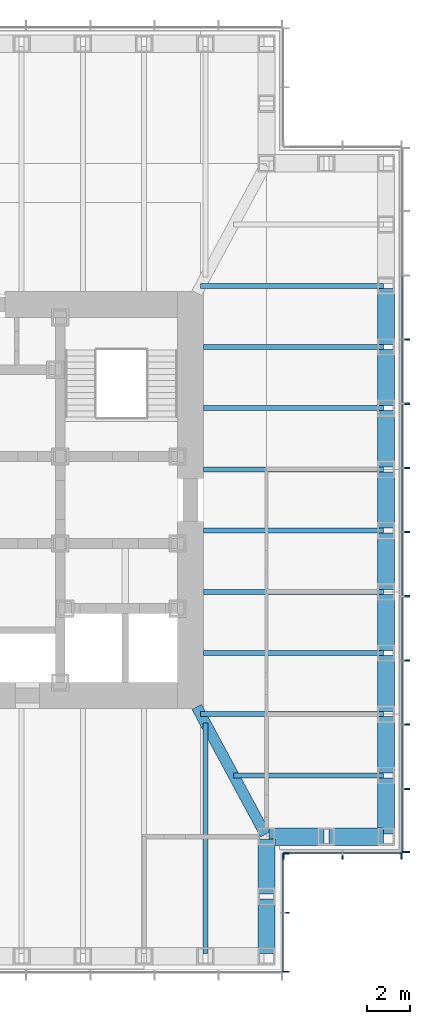
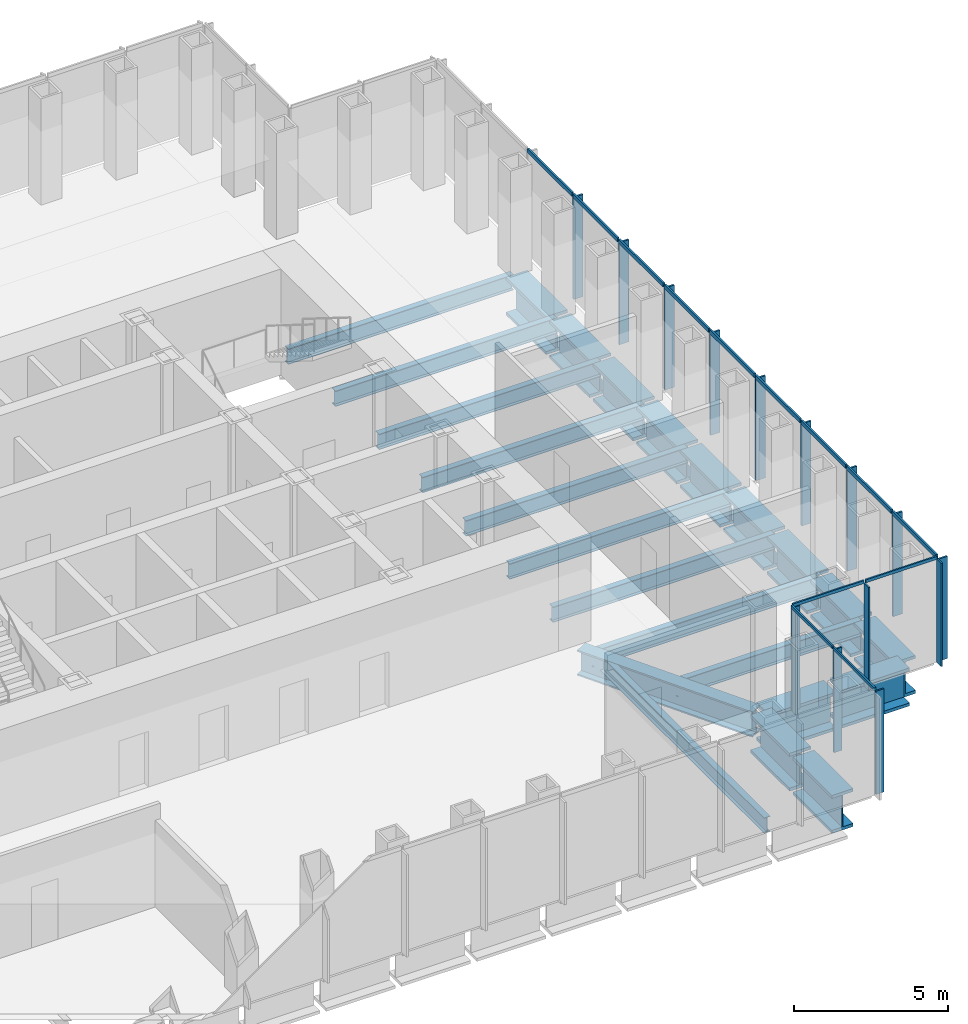
# One storey, part 4 of 16: 28 members, 24 beams, 3 elements without a shape of their own.
"""IFC4 building model written with IfcOpenShell, lengths in metres."""

from ifc_helpers import new_model, si_unit, direction, frame, origin, origin_2d, place, context, subcontext, project, spatial, rectangle, i_section, extrude, material, material_profile, profile_set, type_object, element, aggregate, save


model = new_model("IFC4")

# Units and contexts
model_context = context("Model", 3, precision=1e-05, world=origin(), true_north=direction((0.0, 1.0)))
body_context = subcontext(model_context, "Body", "Model", "MODEL_VIEW")
ifc_project = project(units=[si_unit("LENGTHUNIT", "METRE"), si_unit("AREAUNIT", "SQUARE_METRE"), si_unit("VOLUMEUNIT", "CUBIC_METRE"), si_unit("PLANEANGLEUNIT", "RADIAN"), si_unit("MASSUNIT", "GRAM", prefix="KILO")], contexts=[model_context])

# Site, building, storey
site_placement = place(None, origin())
site = spatial("IfcSite", under=ifc_project, at=site_placement, CompositionType="ELEMENT")
building_placement = place(site_placement, origin())
building = spatial("IfcBuilding", under=site, at=building_placement, Name="Daluyong Arena Tower", CompositionType="ELEMENT")
storey_placement = place(building_placement, frame((0.0, 0.0, 235.89990234375)))
storey = spatial("IfcBuildingStorey", under=building, at=storey_placement, Name="L53", CompositionType="ELEMENT", Elevation=235.89990234375)

# Curtain wall, members
ifc_material_1 = material(Name="Bronze anodised aluminium and glass", Category="aluminium")
curtain_wall_type_1 = type_object("IfcCurtainWallType", Name="Curtain wall CW3", PredefinedType="USERDEFINED", material=ifc_material_1)
curtain_wall_1_placement = place(storey_placement, origin())
curtain_wall_1 = element("IfcCurtainWall", 1, at=curtain_wall_1_placement, inside=storey, type_object=curtain_wall_type_1, Name="curtain wall L53 E", ObjectType="UNITISED CURTAIN WALL", PredefinedType="USERDEFINED")
ifc_material_2 = material(Name="Bronze anodised aluminium fin", Category="aluminium")
ifc_material_profile_1 = material_profile(ifc_material_2, rectangle(XDim=0.35009765625, YDim=0.070068359375, at=origin_2d()))
ifc_profile_set_1 = profile_set([ifc_material_profile_1], Name="Bronze anodised aluminium fin")
member_type_1 = type_object("IfcMemberType", Name="CW3 bronze fin 350x70", PredefinedType="MULLION", material=ifc_profile_set_1)
member_1_placement = place(storey_placement, frame((77.925048828125, 63.784912109375, 0.0), z_axis=(0.0, 0.0, 1.0), x_axis=(-1.0, 0.0, 0.0)))
member_1 = element("IfcMember", 2, at=member_1_placement, type_object=member_type_1, Name="curtain wall L53 E fin 1", PredefinedType="MULLION", context=body_context, shape_type="SweptSolid", body=[
    extrude(rectangle(XDim=0.35009765625, YDim=0.070068359375, at=origin_2d()), origin(), (0.0, 0.0, 1.0), 4.0400390625),
])
member_2_placement = place(storey_placement, frame((77.925048828125, 66.70458984375, 0.0), z_axis=(0.0, 0.0, 1.0), x_axis=(-1.0, 0.0, 0.0)))
member_2 = element("IfcMember", 3, at=member_2_placement, type_object=member_type_1, Name="curtain wall L53 E fin 2", PredefinedType="MULLION", context=body_context, shape_type="SweptSolid", body=[
    extrude(rectangle(XDim=0.35009765625, YDim=0.070068359375, at=origin_2d()), origin(), (0.0, 0.0, 1.0), 4.0400390625),
])
member_3_placement = place(storey_placement, frame((77.925048828125, 69.6591796875, 0.0), z_axis=(0.0, 0.0, 1.0), x_axis=(-1.0, 0.0, 0.0)))
member_3 = element("IfcMember", 4, at=member_3_placement, type_object=member_type_1, Name="curtain wall L53 E fin 3", PredefinedType="MULLION", context=body_context, shape_type="SweptSolid", body=[
    extrude(rectangle(XDim=0.35009765625, YDim=0.070068359375, at=origin_2d()), origin(), (0.0, 0.0, 1.0), 4.0400390625),
])
member_4_placement = place(storey_placement, frame((77.925048828125, 72.613525390625, 0.0), z_axis=(0.0, 0.0, 1.0), x_axis=(-1.0, 0.0, 0.0)))
member_4 = element("IfcMember", 5, at=member_4_placement, type_object=member_type_1, Name="curtain wall L53 E fin 4", PredefinedType="MULLION", context=body_context, shape_type="SweptSolid", body=[
    extrude(rectangle(XDim=0.35009765625, YDim=0.070068359375, at=origin_2d()), origin(), (0.0, 0.0, 1.0), 4.0400390625),
])
member_5_placement = place(storey_placement, frame((77.925048828125, 75.568115234375, 0.0), z_axis=(0.0, 0.0, 1.0), x_axis=(-1.0, 0.0, 0.0)))
member_5 = element("IfcMember", 6, at=member_5_placement, type_object=member_type_1, Name="curtain wall L53 E fin 5", PredefinedType="MULLION", context=body_context, shape_type="SweptSolid", body=[
    extrude(rectangle(XDim=0.35009765625, YDim=0.070068359375, at=origin_2d()), origin(), (0.0, 0.0, 1.0), 4.0400390625),
])
member_6_placement = place(storey_placement, frame((77.925048828125, 78.522705078125, 0.0), z_axis=(0.0, 0.0, 1.0), x_axis=(-1.0, 0.0, 0.0)))
member_6 = element("IfcMember", 7, at=member_6_placement, type_object=member_type_1, Name="curtain wall L53 E fin 6", PredefinedType="MULLION", context=body_context, shape_type="SweptSolid", body=[
    extrude(rectangle(XDim=0.35009765625, YDim=0.070068359375, at=origin_2d()), origin(), (0.0, 0.0, 1.0), 4.0400390625),
])
member_7_placement = place(storey_placement, frame((77.925048828125, 81.477294921875, 0.0), z_axis=(0.0, 0.0, 1.0), x_axis=(-1.0, 0.0, 0.0)))
member_7 = element("IfcMember", 8, at=member_7_placement, type_object=member_type_1, Name="curtain wall L53 E fin 7", PredefinedType="MULLION", context=body_context, shape_type="SweptSolid", body=[
    extrude(rectangle(XDim=0.35009765625, YDim=0.070068359375, at=origin_2d()), origin(), (0.0, 0.0, 1.0), 4.0400390625),
])
member_8_placement = place(storey_placement, frame((77.925048828125, 84.431884765625, 0.0), z_axis=(0.0, 0.0, 1.0), x_axis=(-1.0, 0.0, 0.0)))
member_8 = element("IfcMember", 9, at=member_8_placement, type_object=member_type_1, Name="curtain wall L53 E fin 8", PredefinedType="MULLION", context=body_context, shape_type="SweptSolid", body=[
    extrude(rectangle(XDim=0.35009765625, YDim=0.070068359375, at=origin_2d()), origin(), (0.0, 0.0, 1.0), 4.0400390625),
])
member_9_placement = place(storey_placement, frame((77.925048828125, 87.386474609375, 0.0), z_axis=(0.0, 0.0, 1.0), x_axis=(-1.0, 0.0, 0.0)))
member_9 = element("IfcMember", 10, at=member_9_placement, type_object=member_type_1, Name="curtain wall L53 E fin 9", PredefinedType="MULLION", context=body_context, shape_type="SweptSolid", body=[
    extrude(rectangle(XDim=0.35009765625, YDim=0.070068359375, at=origin_2d()), origin(), (0.0, 0.0, 1.0), 4.0400390625),
])
ifc_material_3 = material(Name="Bronze anodised aluminium", Category="aluminium")
ifc_material_profile_2 = material_profile(ifc_material_3, rectangle(XDim=0.070068359375, YDim=0.159912109375, at=origin_2d()))
ifc_profile_set_2 = profile_set([ifc_material_profile_2], Name="Bronze anodised aluminium")
member_type_2 = type_object("IfcMemberType", Name="CW3 stack transom 160x70", PredefinedType="USERDEFINED", material=ifc_profile_set_2)
member_10_placement = place(storey_placement, frame((77.75, 63.820068359375, 4.1201171875), z_axis=(0.0, 1.0, 0.0), x_axis=(-1.0, 0.0, 0.0)))
member_10 = element("IfcMember", 11, at=member_10_placement, type_object=member_type_2, Name="curtain wall L53 E transom 1", ObjectType="TRANSOM", PredefinedType="USERDEFINED", context=body_context, shape_type="SweptSolid", body=[
    extrude(rectangle(XDim=0.070068359375, YDim=0.159912109375, at=origin_2d()), origin(), (0.0, 0.0, 1.0), 2.849365234375),
])
member_11_placement = place(storey_placement, frame((77.75, 66.739501953125, 4.1201171875), z_axis=(0.0, 1.0, 0.0), x_axis=(-1.0, 0.0, 0.0)))
member_11 = element("IfcMember", 12, at=member_11_placement, type_object=member_type_2, Name="curtain wall L53 E transom 2", ObjectType="TRANSOM", PredefinedType="USERDEFINED", context=body_context, shape_type="SweptSolid", body=[
    extrude(rectangle(XDim=0.070068359375, YDim=0.159912109375, at=origin_2d()), origin(), (0.0, 0.0, 1.0), 2.884521484375),
])
member_12_placement = place(storey_placement, frame((77.75, 69.694091796875, 4.1201171875), z_axis=(0.0, 1.0, 0.0), x_axis=(-1.0, 0.0, 0.0)))
member_12 = element("IfcMember", 13, at=member_12_placement, type_object=member_type_2, Name="curtain wall L53 E transom 3", ObjectType="TRANSOM", PredefinedType="USERDEFINED", context=body_context, shape_type="SweptSolid", body=[
    extrude(rectangle(XDim=0.070068359375, YDim=0.159912109375, at=origin_2d()), origin(), (0.0, 0.0, 1.0), 2.884521484375),
])
member_13_placement = place(storey_placement, frame((77.75, 72.648681640625, 4.1201171875), z_axis=(0.0, 1.0, 0.0), x_axis=(-1.0, 0.0, 0.0)))
member_13 = element("IfcMember", 14, at=member_13_placement, type_object=member_type_2, Name="curtain wall L53 E transom 4", ObjectType="TRANSOM", PredefinedType="USERDEFINED", context=body_context, shape_type="SweptSolid", body=[
    extrude(rectangle(XDim=0.070068359375, YDim=0.159912109375, at=origin_2d()), origin(), (0.0, 0.0, 1.0), 2.884521484375),
])
member_14_placement = place(storey_placement, frame((77.75, 75.603271484375, 4.1201171875), z_axis=(0.0, 1.0, 0.0), x_axis=(-1.0, 0.0, 0.0)))
member_14 = element("IfcMember", 15, at=member_14_placement, type_object=member_type_2, Name="curtain wall L53 E transom 5", ObjectType="TRANSOM", PredefinedType="USERDEFINED", context=body_context, shape_type="SweptSolid", body=[
    extrude(rectangle(XDim=0.070068359375, YDim=0.159912109375, at=origin_2d()), origin(), (0.0, 0.0, 1.0), 2.884521484375),
])
member_15_placement = place(storey_placement, frame((77.75, 78.5576171875, 4.1201171875), z_axis=(0.0, 1.0, 0.0), x_axis=(-1.0, 0.0, 0.0)))
member_15 = element("IfcMember", 16, at=member_15_placement, type_object=member_type_2, Name="curtain wall L53 E transom 6", ObjectType="TRANSOM", PredefinedType="USERDEFINED", context=body_context, shape_type="SweptSolid", body=[
    extrude(rectangle(XDim=0.070068359375, YDim=0.159912109375, at=origin_2d()), origin(), (0.0, 0.0, 1.0), 2.884765625),
])
member_16_placement = place(storey_placement, frame((77.75, 81.51220703125, 4.1201171875), z_axis=(0.0, 1.0, 0.0), x_axis=(-1.0, 0.0, 0.0)))
member_16 = element("IfcMember", 17, at=member_16_placement, type_object=member_type_2, Name="curtain wall L53 E transom 7", ObjectType="TRANSOM", PredefinedType="USERDEFINED", context=body_context, shape_type="SweptSolid", body=[
    extrude(rectangle(XDim=0.070068359375, YDim=0.159912109375, at=origin_2d()), origin(), (0.0, 0.0, 1.0), 2.884521484375),
])
member_17_placement = place(storey_placement, frame((77.75, 84.466796875, 4.1201171875), z_axis=(0.0, 1.0, 0.0), x_axis=(-1.0, 0.0, 0.0)))
member_17 = element("IfcMember", 18, at=member_17_placement, type_object=member_type_2, Name="curtain wall L53 E transom 8", ObjectType="TRANSOM", PredefinedType="USERDEFINED", context=body_context, shape_type="SweptSolid", body=[
    extrude(rectangle(XDim=0.070068359375, YDim=0.159912109375, at=origin_2d()), origin(), (0.0, 0.0, 1.0), 2.884521484375),
])
member_18_placement = place(storey_placement, frame((77.75, 87.42138671875, 4.1201171875), z_axis=(0.0, 1.0, 0.0), x_axis=(-1.0, 0.0, 0.0)))
member_18 = element("IfcMember", 19, at=member_18_placement, type_object=member_type_2, Name="curtain wall L53 E transom 9", ObjectType="TRANSOM", PredefinedType="USERDEFINED", context=body_context, shape_type="SweptSolid", body=[
    extrude(rectangle(XDim=0.070068359375, YDim=0.159912109375, at=origin_2d()), origin(), (0.0, 0.0, 1.0), 2.884521484375),
])
aggregate(curtain_wall_1, [member_1, member_2, member_3, member_4, member_5, member_6, member_7, member_8, member_9, member_10, member_11, member_12, member_13, member_14, member_15, member_16, member_17, member_18])

ifc_material_4 = material(Name="Bronze anodised aluminium and glass", Category="aluminium")
curtain_wall_type_2 = type_object("IfcCurtainWallType", Name="Curtain wall CW7", PredefinedType="USERDEFINED", material=ifc_material_4)
curtain_wall_2_placement = place(storey_placement, origin())
curtain_wall_2 = element("IfcCurtainWall", 20, at=curtain_wall_2_placement, inside=storey, type_object=curtain_wall_type_2, Name="curtain wall L53 SE-E", ObjectType="UNITISED CURTAIN WALL", PredefinedType="USERDEFINED")
ifc_material_5 = material(Name="Bronze anodised aluminium fin", Category="aluminium")
ifc_material_profile_3 = material_profile(ifc_material_5, rectangle(XDim=0.300048828125, YDim=0.06005859375, at=origin_2d()))
ifc_profile_set_3 = profile_set([ifc_material_profile_3], Name="Bronze anodised aluminium fin")
member_type_3 = type_object("IfcMemberType", Name="CW7 bronze fin 300x60", PredefinedType="MULLION", material=ifc_profile_set_3)
member_19_placement = place(storey_placement, frame((72.39990234375, 58.280029296875, 0.0), z_axis=(0.0, 0.0, 1.0), x_axis=(-1.0, 0.0, 0.0)))
member_19 = element("IfcMember", 21, at=member_19_placement, type_object=member_type_3, Name="curtain wall L53 SE-E fin 1", PredefinedType="MULLION", context=body_context, shape_type="SweptSolid", body=[
    extrude(rectangle(XDim=0.300048828125, YDim=0.06005859375, at=origin_2d()), origin(), (0.0, 0.0, 1.0), 4.080078125),
])
member_20_placement = place(storey_placement, frame((72.39990234375, 61.0, 0.0), z_axis=(0.0, 0.0, 1.0), x_axis=(-1.0, 0.0, 0.0)))
member_20 = element("IfcMember", 22, at=member_20_placement, type_object=member_type_3, Name="curtain wall L53 SE-E fin 2", PredefinedType="MULLION", context=body_context, shape_type="SweptSolid", body=[
    extrude(rectangle(XDim=0.300048828125, YDim=0.06005859375, at=origin_2d()), origin(), (0.0, 0.0, 1.0), 4.080078125),
])
member_21_placement = place(storey_placement, frame((72.39990234375, 63.719970703125, 0.0), z_axis=(0.0, 0.0, 1.0), x_axis=(-1.0, 0.0, 0.0)))
member_21 = element("IfcMember", 23, at=member_21_placement, type_object=member_type_3, Name="curtain wall L53 SE-E fin 3", PredefinedType="MULLION", context=body_context, shape_type="SweptSolid", body=[
    extrude(rectangle(XDim=0.300048828125, YDim=0.06005859375, at=origin_2d()), origin(), (0.0, 0.0, 1.0), 4.080078125),
])

curtain_wall_3_placement = place(storey_placement, origin())
curtain_wall_3 = element("IfcCurtainWall", 24, at=curtain_wall_3_placement, inside=storey, type_object=curtain_wall_type_2, Name="curtain wall L53 SE-S", ObjectType="UNITISED CURTAIN WALL", PredefinedType="USERDEFINED")
member_22_placement = place(storey_placement, frame((72.280029296875, 63.60009765625, 0.0), z_axis=(0.0, 0.0, 1.0), x_axis=(0.0, 1.0, 0.0)))
member_22 = element("IfcMember", 25, at=member_22_placement, type_object=member_type_3, Name="curtain wall L53 SE-S fin 1", PredefinedType="MULLION", context=body_context, shape_type="SweptSolid", body=[
    extrude(rectangle(XDim=0.300048828125, YDim=0.06005859375, at=origin_2d()), origin(), (0.0, 0.0, 1.0), 4.080078125),
])
member_23_placement = place(storey_placement, frame((75.0, 63.60009765625, 0.0), z_axis=(0.0, 0.0, 1.0), x_axis=(0.0, 1.0, 0.0)))
member_23 = element("IfcMember", 26, at=member_23_placement, type_object=member_type_3, Name="curtain wall L53 SE-S fin 2", PredefinedType="MULLION", context=body_context, shape_type="SweptSolid", body=[
    extrude(rectangle(XDim=0.300048828125, YDim=0.06005859375, at=origin_2d()), origin(), (0.0, 0.0, 1.0), 4.080078125),
])
member_24_placement = place(storey_placement, frame((77.719970703125, 63.60009765625, 0.0), z_axis=(0.0, 0.0, 1.0), x_axis=(0.0, 1.0, 0.0)))
member_24 = element("IfcMember", 27, at=member_24_placement, type_object=member_type_3, Name="curtain wall L53 SE-S fin 3", PredefinedType="MULLION", context=body_context, shape_type="SweptSolid", body=[
    extrude(rectangle(XDim=0.300048828125, YDim=0.06005859375, at=origin_2d()), origin(), (0.0, 0.0, 1.0), 4.080078125),
])

# Member
ifc_material_6 = material(Name="Bronze anodised aluminium", Category="aluminium")
ifc_material_profile_4 = material_profile(ifc_material_6, rectangle(XDim=0.06005859375, YDim=0.1201171875, at=origin_2d()))
ifc_profile_set_4 = profile_set([ifc_material_profile_4], Name="Bronze anodised aluminium")
member_type_4 = type_object("IfcMemberType", Name="CW7 stack transom 120x60", PredefinedType="USERDEFINED", material=ifc_profile_set_4)
member_25_placement = place(storey_placement, frame((72.25, 58.31005859375, 4.14013671875), z_axis=(0.0, 1.0, 0.0), x_axis=(-1.0, 0.0, 0.0)))
member_25 = element("IfcMember", 28, at=member_25_placement, type_object=member_type_4, Name="curtain wall L53 SE-E transom 1", ObjectType="TRANSOM", PredefinedType="USERDEFINED", context=body_context, shape_type="SweptSolid", body=[
    extrude(rectangle(XDim=0.06005859375, YDim=0.1201171875, at=origin_2d()), origin(), (0.0, 0.0, 1.0), 2.659912109375),
])

member_26_placement = place(storey_placement, frame((72.25, 61.030029296875, 4.14013671875), z_axis=(0.0, 1.0, 0.0), x_axis=(-1.0, 0.0, 0.0)))
member_26 = element("IfcMember", 29, at=member_26_placement, type_object=member_type_4, Name="curtain wall L53 SE-E transom 2", ObjectType="TRANSOM", PredefinedType="USERDEFINED", context=body_context, shape_type="SweptSolid", body=[
    extrude(rectangle(XDim=0.06005859375, YDim=0.1201171875, at=origin_2d()), origin(), (0.0, 0.0, 1.0), 2.659912109375),
])

aggregate(curtain_wall_2, [member_19, member_20, member_21, member_25, member_26])

member_27_placement = place(storey_placement, frame((72.31005859375, 63.75, 4.14013671875), z_axis=(1.0, 0.0, 0.0), x_axis=(0.0, 1.0, 0.0)))
member_27 = element("IfcMember", 30, at=member_27_placement, type_object=member_type_4, Name="curtain wall L53 SE-S transom 1", ObjectType="TRANSOM", PredefinedType="USERDEFINED", context=body_context, shape_type="SweptSolid", body=[
    extrude(rectangle(XDim=0.06005859375, YDim=0.1201171875, at=origin_2d()), origin(), (0.0, 0.0, 1.0), 2.659912109375),
])

member_28_placement = place(storey_placement, frame((75.030029296875, 63.75, 4.14013671875), z_axis=(1.0, 0.0, 0.0), x_axis=(0.0, 1.0, 0.0)))
member_28 = element("IfcMember", 31, at=member_28_placement, type_object=member_type_4, Name="curtain wall L53 SE-S transom 2", ObjectType="TRANSOM", PredefinedType="USERDEFINED", context=body_context, shape_type="SweptSolid", body=[
    extrude(rectangle(XDim=0.06005859375, YDim=0.1201171875, at=origin_2d()), origin(), (0.0, 0.0, 1.0), 2.659912109375),
])

aggregate(curtain_wall_3, [member_22, member_23, member_24, member_27, member_28])

# Beams
ifc_material_7 = material(Name="Steel ASTM A572 Grade 50", Category="steel")
ifc_material_profile_5 = material_profile(ifc_material_7, i_section(OverallWidth=0.5, OverallDepth=1.0, WebThickness=0.03, FlangeThickness=0.06, at=origin_2d()))
ifc_profile_set_5 = profile_set([ifc_material_profile_5], Name="Steel ASTM A572 Grade 50")
beam_type_1 = type_object("IfcBeamType", Name="Corner girder TB1000X500", PredefinedType="BEAM", material=ifc_profile_set_5)
beam_1_placement = place(storey_placement, frame((71.445556640625, 64.601318359375, -0.659912109375), z_axis=(-0.474119475266, 0.880460517669, 0.0), x_axis=(-0.880460517669, -0.474119475266, 0.0)))
element("IfcBeam", 32, at=beam_1_placement, inside=storey, type_object=beam_type_1, Name="corner girder DG2", PredefinedType="BEAM", context=body_context, shape_type="SweptSolid", body=[
    extrude(i_section(OverallWidth=0.5, OverallDepth=1.0, WebThickness=0.03, FlangeThickness=0.06, at=origin_2d()), origin(), (0.0, 0.0, 1.0), 6.66748046875),
])
ifc_material_8 = material(Name="Steel ASTM A992 Grade 50", Category="steel")
ifc_material_profile_6 = material_profile(ifc_material_8, i_section(OverallWidth=0.22900390625, OverallDepth=0.612060546875, WebThickness=0.011962890625, FlangeThickness=0.01953125, at=origin_2d()))
ifc_profile_set_6 = profile_set([ifc_material_profile_6], Name="Steel ASTM A992 Grade 50")
beam_type_2 = type_object("IfcBeamType", Name="Floor beam W24X84", PredefinedType="BEAM", material=ifc_profile_set_6)
beam_2_placement = place(storey_placement, frame((68.681884765625, 59.114990234375, -0.466064453125), z_axis=(0.0, 1.0, 0.0), x_axis=(-1.0, 0.0, 0.0)))
element("IfcBeam", 33, at=beam_2_placement, inside=storey, type_object=beam_type_2, Name="floor beam FB3", PredefinedType="BEAM", context=body_context, shape_type="SweptSolid", body=[
    extrude(i_section(OverallWidth=0.22900390625, OverallDepth=0.612060546875, WebThickness=0.011962890625, FlangeThickness=0.01953125, at=origin_2d()), origin(), (0.0, 0.0, 1.0), 10.618896484375),
])
beam_3_placement = place(storey_placement, frame((76.885009765625, 67.318115234375, -0.466064453125), z_axis=(-1.0, 0.0, 0.0), x_axis=(0.0, -1.0, 0.0)))
element("IfcBeam", 34, at=beam_3_placement, inside=storey, type_object=beam_type_2, Name="floor beam FB3", PredefinedType="BEAM", context=body_context, shape_type="SweptSolid", body=[
    extrude(i_section(OverallWidth=0.22900390625, OverallDepth=0.612060546875, WebThickness=0.011962890625, FlangeThickness=0.01953125, at=origin_2d()), origin(), (0.0, 0.0, 1.0), 6.902587890625),
])
beam_4_placement = place(storey_placement, frame((76.885009765625, 70.136474609375, -0.466064453125), z_axis=(-1.0, 0.0, 0.0), x_axis=(0.0, -1.0, 0.0)))
element("IfcBeam", 35, at=beam_4_placement, inside=storey, type_object=beam_type_2, Name="floor beam FB3", PredefinedType="BEAM", context=body_context, shape_type="SweptSolid", body=[
    extrude(i_section(OverallWidth=0.22900390625, OverallDepth=0.612060546875, WebThickness=0.011962890625, FlangeThickness=0.01953125, at=origin_2d()), origin(), (0.0, 0.0, 1.0), 8.419921875),
])
for number, where, z_axis, x_axis, name in (
    (36, (76.885009765625, 72.95458984375, -0.466064453125), (-1.0, 0.0, 0.0), (0.0, -1.0, 0.0), "floor beam FB3"),
    (37, (76.885009765625, 75.772705078125, -0.466064453125), (-1.0, 0.0, 0.0), (0.0, -1.0, 0.0), "floor beam FB3"),
    (38, (76.885009765625, 78.5908203125, -0.466064453125), (-1.0, 0.0, 0.0), (0.0, -1.0, 0.0), "floor beam FB3"),
    (39, (76.885009765625, 81.4091796875, -0.466064453125), (-1.0, 0.0, 0.0), (0.0, -1.0, 0.0), "floor beam FB3"),
    (40, (76.885009765625, 84.227294921875, -0.466064453125), (-1.0, 0.0, 0.0), (0.0, -1.0, 0.0), "floor beam FB3"),
    (41, (76.885009765625, 87.04541015625, -0.466064453125), (-1.0, 0.0, 0.0), (0.0, -1.0, 0.0), "floor beam FB3"),
):
    element("IfcBeam", number, at=place(storey_placement, frame(where, z_axis=z_axis, x_axis=x_axis)), inside=storey, type_object=beam_type_2, Name=name, PredefinedType="BEAM", context=body_context, shape_type="SweptSolid", body=[
        extrude(i_section(OverallWidth=0.22900390625, OverallDepth=0.612060546875, WebThickness=0.011962890625, FlangeThickness=0.01953125, at=origin_2d()), origin(), (0.0, 0.0, 1.0), 8.284912109375),
    ])
beam_5_placement = place(storey_placement, frame((76.885009765625, 89.863525390625, -0.466064453125), z_axis=(-1.0, 0.0, 0.0), x_axis=(0.0, -1.0, 0.0)))
element("IfcBeam", 42, at=beam_5_placement, inside=storey, type_object=beam_type_2, Name="floor beam FB3", PredefinedType="BEAM", context=body_context, shape_type="SweptSolid", body=[
    extrude(i_section(OverallWidth=0.22900390625, OverallDepth=0.612060546875, WebThickness=0.011962890625, FlangeThickness=0.01953125, at=origin_2d()), origin(), (0.0, 0.0, 1.0), 8.419921875),
])
ifc_material_9 = material(Name="Steel ASTM A588 Grade 50", Category="steel")
ifc_material_profile_7 = material_profile(ifc_material_9, i_section(OverallWidth=0.800048828125, OverallDepth=1.5, WebThickness=0.05, FlangeThickness=0.12, at=origin_2d()))
ifc_profile_set_7 = profile_set([ifc_material_profile_7], Name="Steel ASTM A588 Grade 50")
beam_type_3 = type_object("IfcBeamType", Name="Spandrel Z3 PG1500X800", PredefinedType="SPANDREL", material=ifc_profile_set_7)
for number, where, z_axis, x_axis, name in (
    (43, (71.5, 59.114990234375, -0.909912109375), (0.0, 1.0, 0.0), (-1.0, 0.0, 0.0), "spandrel z3 SB7"),
    (44, (71.5, 61.864990234375, -0.909912109375), (0.0, 1.0, 0.0), (-1.0, 0.0, 0.0), "spandrel z3 SB7"),
    (45, (71.614990234375, 64.5, -0.909912109375), (1.0, 0.0, 0.0), (0.0, 1.0, 0.0), "spandrel z3 SB7"),
    (46, (74.364990234375, 64.5, -0.909912109375), (1.0, 0.0, 0.0), (0.0, 1.0, 0.0), "spandrel z3 SB7"),
):
    element("IfcBeam", number, at=place(storey_placement, frame(where, z_axis=z_axis, x_axis=x_axis)), inside=storey, type_object=beam_type_3, Name=name, PredefinedType="SPANDREL", context=body_context, shape_type="SweptSolid", body=[
        extrude(i_section(OverallWidth=0.800048828125, OverallDepth=1.5, WebThickness=0.05, FlangeThickness=0.12, at=origin_2d()), origin(), (0.0, 0.0, 1.0), 2.52001953125),
    ])
beam_6_placement = place(storey_placement, frame((77.0, 64.614990234375, -0.909912109375), z_axis=(0.0, 1.0, 0.0), x_axis=(-1.0, 0.0, 0.0)))
element("IfcBeam", 47, at=beam_6_placement, inside=storey, type_object=beam_type_3, Name="spandrel z3 SB7", PredefinedType="SPANDREL", context=body_context, shape_type="SweptSolid", body=[
    extrude(i_section(OverallWidth=0.800048828125, OverallDepth=1.5, WebThickness=0.05, FlangeThickness=0.12, at=origin_2d()), origin(), (0.0, 0.0, 1.0), 2.588134765625),
])
beam_7_placement = place(storey_placement, frame((77.0, 67.43310546875, -0.909912109375), z_axis=(0.0, 1.0, 0.0), x_axis=(-1.0, 0.0, 0.0)))
element("IfcBeam", 48, at=beam_7_placement, inside=storey, type_object=beam_type_3, Name="spandrel z3 SB7", PredefinedType="SPANDREL", context=body_context, shape_type="SweptSolid", body=[
    extrude(i_section(OverallWidth=0.800048828125, OverallDepth=1.5, WebThickness=0.05, FlangeThickness=0.12, at=origin_2d()), origin(), (0.0, 0.0, 1.0), 2.58837890625),
])
for number, where, z_axis, x_axis, name in (
    (49, (77.0, 70.25146484375, -0.909912109375), (0.0, 1.0, 0.0), (-1.0, 0.0, 0.0), "spandrel z3 SB7"),
    (50, (77.0, 73.069580078125, -0.909912109375), (0.0, 1.0, 0.0), (-1.0, 0.0, 0.0), "spandrel z3 SB7"),
    (51, (77.0, 75.8876953125, -0.909912109375), (0.0, 1.0, 0.0), (-1.0, 0.0, 0.0), "spandrel z3 SB7"),
):
    element("IfcBeam", number, at=place(storey_placement, frame(where, z_axis=z_axis, x_axis=x_axis)), inside=storey, type_object=beam_type_3, Name=name, PredefinedType="SPANDREL", context=body_context, shape_type="SweptSolid", body=[
        extrude(i_section(OverallWidth=0.800048828125, OverallDepth=1.5, WebThickness=0.05, FlangeThickness=0.12, at=origin_2d()), origin(), (0.0, 0.0, 1.0), 2.588134765625),
    ])
beam_8_placement = place(storey_placement, frame((77.0, 78.705810546875, -0.909912109375), z_axis=(0.0, 1.0, 0.0), x_axis=(-1.0, 0.0, 0.0)))
element("IfcBeam", 52, at=beam_8_placement, inside=storey, type_object=beam_type_3, Name="spandrel z3 SB7", PredefinedType="SPANDREL", context=body_context, shape_type="SweptSolid", body=[
    extrude(i_section(OverallWidth=0.800048828125, OverallDepth=1.5, WebThickness=0.05, FlangeThickness=0.12, at=origin_2d()), origin(), (0.0, 0.0, 1.0), 2.58837890625),
])
for number, where, z_axis, x_axis, name in (
    (53, (77.0, 81.524169921875, -0.909912109375), (0.0, 1.0, 0.0), (-1.0, 0.0, 0.0), "spandrel z3 SB7"),
    (54, (77.0, 84.34228515625, -0.909912109375), (0.0, 1.0, 0.0), (-1.0, 0.0, 0.0), "spandrel z3 SB7"),
    (55, (77.0, 87.160400390625, -0.909912109375), (0.0, 1.0, 0.0), (-1.0, 0.0, 0.0), "spandrel z3 SB7"),
):
    element("IfcBeam", number, at=place(storey_placement, frame(where, z_axis=z_axis, x_axis=x_axis)), inside=storey, type_object=beam_type_3, Name=name, PredefinedType="SPANDREL", context=body_context, shape_type="SweptSolid", body=[
        extrude(i_section(OverallWidth=0.800048828125, OverallDepth=1.5, WebThickness=0.05, FlangeThickness=0.12, at=origin_2d()), origin(), (0.0, 0.0, 1.0), 2.588134765625),
    ])

save(model, "model.ifc")
